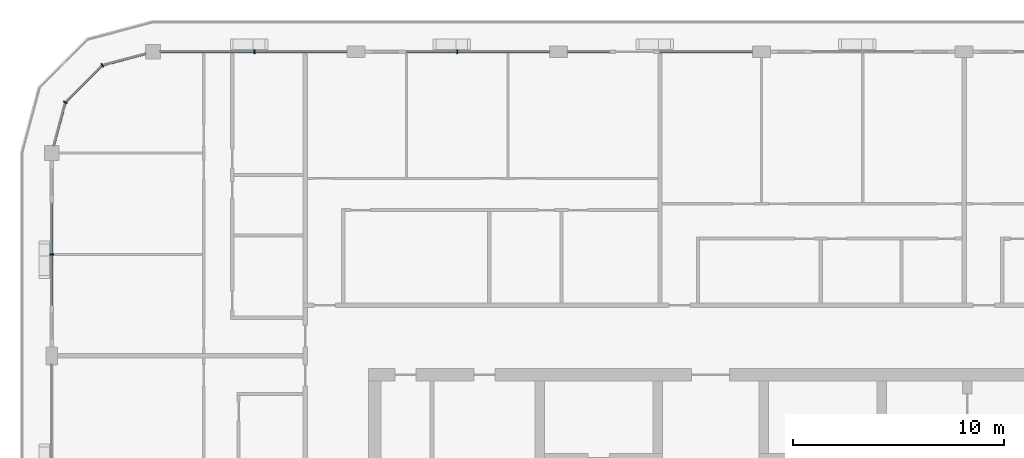
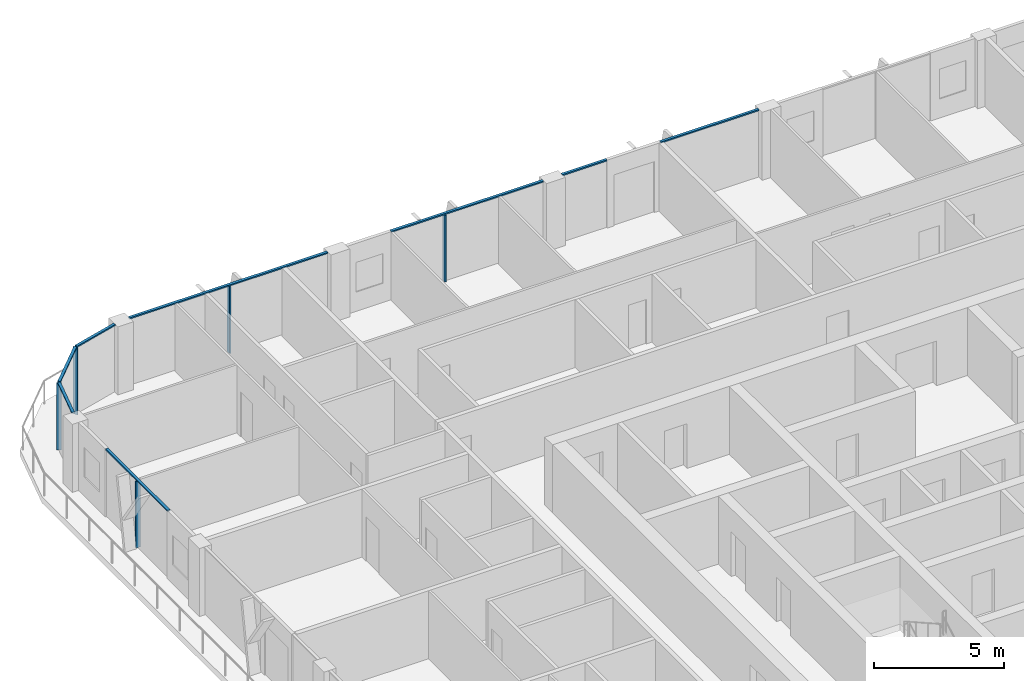
# One storey, part 5 of 21: 13 members, 5 elements without a shape of their own.
"""IFC4 building model written with IfcOpenShell, lengths in metres."""

from ifc_helpers import new_model, si_unit, direction, frame, origin, origin_2d, place, context, subcontext, project, spatial, rectangle, extrude, material, layer, layer_set, material_profile, profile_set, type_object, element, aggregate, save


model = new_model("IFC4")

# Units and contexts
model_context = context("Model", 3, precision=1e-05, world=origin(), true_north=direction((0.0, 1.0)))
body_context = subcontext(model_context, "Body", "Model", "MODEL_VIEW")
ifc_project = project(units=[si_unit("LENGTHUNIT", "METRE"), si_unit("AREAUNIT", "SQUARE_METRE"), si_unit("VOLUMEUNIT", "CUBIC_METRE"), si_unit("PLANEANGLEUNIT", "RADIAN"), si_unit("MASSUNIT", "GRAM", prefix="KILO")], contexts=[model_context])

# Site, building, storey
site_placement = place(None, origin())
site = spatial("IfcSite", under=ifc_project, at=site_placement, CompositionType="ELEMENT")
building_placement = place(site_placement, origin())
building = spatial("IfcBuilding", under=site, at=building_placement, Name="Madar Terraces", CompositionType="ELEMENT")
storey_placement = place(building_placement, frame((0.0, 0.0, 252.699951171875)))
storey = spatial("IfcBuildingStorey", under=building, at=storey_placement, Name="L66", CompositionType="ELEMENT", Elevation=252.699951171875)

# Curtain wall, member
ifc_material_1 = material(Name="Glass, ceramic frit dark grey, with black aluminium frame", Category="aluminium")
ifc_layer = layer(ifc_material_1, 0.199951171875)
ifc_layer_set = layer_set([ifc_layer], Name="Facade curtain wall, fritted glass")
curtain_wall_type = type_object("IfcCurtainWallType", Name="Facade curtain wall, fritted glass", PredefinedType="NOTDEFINED", material=ifc_layer_set)
curtain_wall_1_placement = place(storey_placement, origin())
curtain_wall_1 = element("IfcCurtainWall", 1, at=curtain_wall_1_placement, inside=storey, type_object=curtain_wall_type, Name="Outer skin curtain wall north bay 4", PredefinedType="NOTDEFINED")
ifc_material_2 = material(Name="Aluminium, black anodised", Category="aluminium")
ifc_material_profile_1 = material_profile(ifc_material_2, rectangle(XDim=0.199951171875, YDim=0.06005859375, at=origin_2d()), Name="Facade mullion 60x200")
ifc_profile_set_1 = profile_set([ifc_material_profile_1], Name="Aluminium, black anodised")
member_type_1 = type_object("IfcMemberType", Name="Facade mullion 60x200", PredefinedType="MULLION", material=ifc_profile_set_1)
member_1_placement = place(storey_placement, frame((19.199951171875, 52.800048828125, 0.0), z_axis=(0.0, 0.0, 1.0), x_axis=(0.0, -1.0, 0.0)))
member_1 = element("IfcMember", 2, at=member_1_placement, type_object=member_type_1, Name="Mullion 1", PredefinedType="MULLION", context=body_context, shape_type="SweptSolid", body=[
    extrude(rectangle(XDim=0.199951171875, YDim=0.06005859375, at=origin_2d()), origin(), (0.0, 0.0, 1.0), 3.14013671875),
])

curtain_wall_2_placement = place(storey_placement, origin())
curtain_wall_2 = element("IfcCurtainWall", 3, at=curtain_wall_2_placement, inside=storey, type_object=curtain_wall_type, Name="Outer skin curtain wall north bay 5", PredefinedType="NOTDEFINED")
member_2_placement = place(storey_placement, frame((9.60009765625, 52.800048828125, 0.0), z_axis=(0.0, 0.0, 1.0), x_axis=(0.0, -1.0, 0.0)))
member_2 = element("IfcMember", 4, at=member_2_placement, type_object=member_type_1, Name="Mullion 1", PredefinedType="MULLION", context=body_context, shape_type="SweptSolid", body=[
    extrude(rectangle(XDim=0.199951171875, YDim=0.06005859375, at=origin_2d()), origin(), (0.0, 0.0, 1.0), 3.14013671875),
])

curtain_wall_3_placement = place(storey_placement, origin())
curtain_wall_3 = element("IfcCurtainWall", 5, at=curtain_wall_3_placement, inside=storey, type_object=curtain_wall_type, Name="Outer skin curtain wall west bay 1", PredefinedType="NOTDEFINED")
member_3_placement = place(storey_placement, frame((0.0, 43.199951171875, 0.0), z_axis=(0.0, 0.0, 1.0), x_axis=(1.0, 0.0, 0.0)))
member_3 = element("IfcMember", 6, at=member_3_placement, type_object=member_type_1, Name="Mullion 1", PredefinedType="MULLION", context=body_context, shape_type="SweptSolid", body=[
    extrude(rectangle(XDim=0.199951171875, YDim=0.06005859375, at=origin_2d()), origin(), (0.0, 0.0, 1.0), 3.14013671875),
])

# Curtain wall, members
curtain_wall_4_placement = place(storey_placement, origin())
curtain_wall_4 = element("IfcCurtainWall", 7, at=curtain_wall_4_placement, inside=storey, type_object=curtain_wall_type, Name="Outer skin curtain wall north-west corner", PredefinedType="NOTDEFINED")
member_4_placement = place(storey_placement, frame((2.39990234375, 52.156982421875, 0.0), z_axis=(0.0, 0.0, 1.0), x_axis=(0.499999989586, -0.866025409797, 0.0)))
member_4 = element("IfcMember", 8, at=member_4_placement, type_object=member_type_1, Name="Mullion 1", PredefinedType="MULLION", context=body_context, shape_type="SweptSolid", body=[
    extrude(rectangle(XDim=0.199951171875, YDim=0.06005859375, at=origin_2d()), origin(), (0.0, 0.0, 1.0), 3.14013671875),
])
member_5_placement = place(storey_placement, frame((0.64306640625, 50.39990234375, 0.0), z_axis=(0.0, 0.0, 1.0), x_axis=(0.866025409797, -0.499999989586, 0.0)))
member_5 = element("IfcMember", 9, at=member_5_placement, type_object=member_type_1, Name="Mullion 2", PredefinedType="MULLION", context=body_context, shape_type="SweptSolid", body=[
    extrude(rectangle(XDim=0.199951171875, YDim=0.06005859375, at=origin_2d()), origin(), (0.0, 0.0, 1.0), 3.14013671875),
])

curtain_wall_5_placement = place(storey_placement, origin())
curtain_wall_5 = element("IfcCurtainWall", 10, at=curtain_wall_5_placement, inside=storey, type_object=curtain_wall_type, Name="Outer skin curtain wall north bay 3", PredefinedType="NOTDEFINED")
ifc_material_3 = material(Name="Aluminium, black anodised", Category="aluminium")
ifc_material_profile_2 = material_profile(ifc_material_3, rectangle(XDim=0.1201171875, YDim=0.06005859375, at=origin_2d()), Name="Facade transom 60x120")
ifc_profile_set_2 = profile_set([ifc_material_profile_2], Name="Aluminium, black anodised")
member_type_2 = type_object("IfcMemberType", Name="Facade transom 60x120", PredefinedType="USERDEFINED", material=ifc_profile_set_2)
member_6_placement = place(storey_placement, frame((33.175048828125, 52.800048828125, 3.170166015625), z_axis=(-1.0, 0.0, 0.0), x_axis=(0.0, -1.0, 0.0)))
member_6 = element("IfcMember", 11, at=member_6_placement, type_object=member_type_2, Name="Transom 1", ObjectType="TRANSOM", PredefinedType="USERDEFINED", context=body_context, shape_type="SweptSolid", body=[
    extrude(rectangle(XDim=0.1201171875, YDim=0.06005859375, at=origin_2d()), origin(), (0.0, 0.0, 1.0), 4.375),
])
member_7_placement = place(storey_placement, frame((26.39990234375, 52.800048828125, 3.170166015625), z_axis=(-1.0, 0.0, 0.0), x_axis=(0.0, -1.0, 0.0)))
member_7 = element("IfcMember", 12, at=member_7_placement, type_object=member_type_2, Name="Transom 2", ObjectType="TRANSOM", PredefinedType="USERDEFINED", context=body_context, shape_type="SweptSolid", body=[
    extrude(rectangle(XDim=0.1201171875, YDim=0.06005859375, at=origin_2d()), origin(), (0.0, 0.0, 1.0), 1.974853515625),
])
aggregate(curtain_wall_5, [member_6, member_7])

# Member
member_8_placement = place(storey_placement, frame((23.574951171875, 52.800048828125, 3.170166015625), z_axis=(-1.0, 0.0, 0.0), x_axis=(0.0, -1.0, 0.0)))
member_8 = element("IfcMember", 13, at=member_8_placement, type_object=member_type_2, Name="Transom 1", ObjectType="TRANSOM", PredefinedType="USERDEFINED", context=body_context, shape_type="SweptSolid", body=[
    extrude(rectangle(XDim=0.1201171875, YDim=0.06005859375, at=origin_2d()), origin(), (0.0, 0.0, 1.0), 6.77490234375),
])

aggregate(curtain_wall_1, [member_1, member_8])

member_9_placement = place(storey_placement, frame((13.97509765625, 52.800048828125, 3.170166015625), z_axis=(-1.0, 0.0, 0.0), x_axis=(0.0, -1.0, 0.0)))
member_9 = element("IfcMember", 14, at=member_9_placement, type_object=member_type_2, Name="Transom 1", ObjectType="TRANSOM", PredefinedType="USERDEFINED", context=body_context, shape_type="SweptSolid", body=[
    extrude(rectangle(XDim=0.1201171875, YDim=0.06005859375, at=origin_2d()), origin(), (0.0, 0.0, 1.0), 8.8251953125),
])

aggregate(curtain_wall_2, [member_2, member_9])

member_10_placement = place(storey_placement, frame((0.0, 45.60009765625, 3.170166015625), z_axis=(0.0, -1.0, 0.0), x_axis=(1.0, 0.0, 0.0)))
member_10 = element("IfcMember", 15, at=member_10_placement, type_object=member_type_2, Name="Transom 1", ObjectType="TRANSOM", PredefinedType="USERDEFINED", context=body_context, shape_type="SweptSolid", body=[
    extrude(rectangle(XDim=0.1201171875, YDim=0.06005859375, at=origin_2d()), origin(), (0.0, 0.0, 1.0), 4.800048828125),
])

aggregate(curtain_wall_3, [member_3, member_10])

member_11_placement = place(storey_placement, frame((4.449951171875, 52.706298828125, 3.170166015625), z_axis=(-0.965928259589, -0.258809963731, 0.0), x_axis=(0.258809963731, -0.965928259589, 0.0)))
member_11 = element("IfcMember", 16, at=member_11_placement, type_object=member_type_2, Name="Transom 1", ObjectType="TRANSOM", PredefinedType="USERDEFINED", context=body_context, shape_type="SweptSolid", body=[
    extrude(rectangle(XDim=0.1201171875, YDim=0.06005859375, at=origin_2d()), origin(), (0.0, 0.0, 1.0), 2.09228515625),
])

member_12_placement = place(storey_placement, frame((2.37890625, 52.1357421875, 3.170166015625), z_axis=(-0.707106781187, -0.707106781187, 0.0), x_axis=(0.707106781187, -0.707106781187, 0.0)))
member_12 = element("IfcMember", 17, at=member_12_placement, type_object=member_type_2, Name="Transom 2", ObjectType="TRANSOM", PredefinedType="USERDEFINED", context=body_context, shape_type="SweptSolid", body=[
    extrude(rectangle(XDim=0.1201171875, YDim=0.06005859375, at=origin_2d()), origin(), (0.0, 0.0, 1.0), 2.4248046875),
])

member_13_placement = place(storey_placement, frame((0.63525390625, 50.37109375, 3.170166015625), z_axis=(-0.258809963731, -0.965928259589, 0.0), x_axis=(0.965928259589, -0.258809963731, 0.0)))
member_13 = element("IfcMember", 18, at=member_13_placement, type_object=member_type_2, Name="Transom 3", ObjectType="TRANSOM", PredefinedType="USERDEFINED", context=body_context, shape_type="SweptSolid", body=[
    extrude(rectangle(XDim=0.1201171875, YDim=0.06005859375, at=origin_2d()), origin(), (0.0, 0.0, 1.0), 2.09228515625),
])

aggregate(curtain_wall_4, [member_4, member_11, member_5, member_12, member_13])

save(model, "model.ifc")
